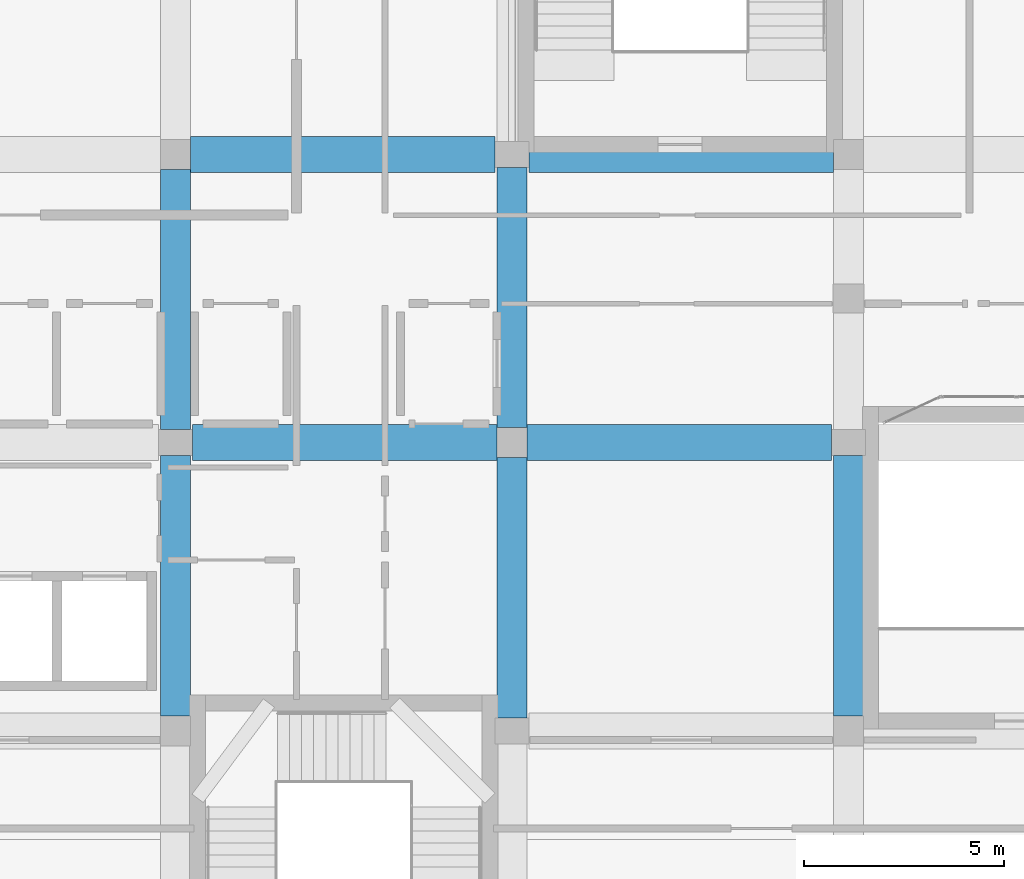
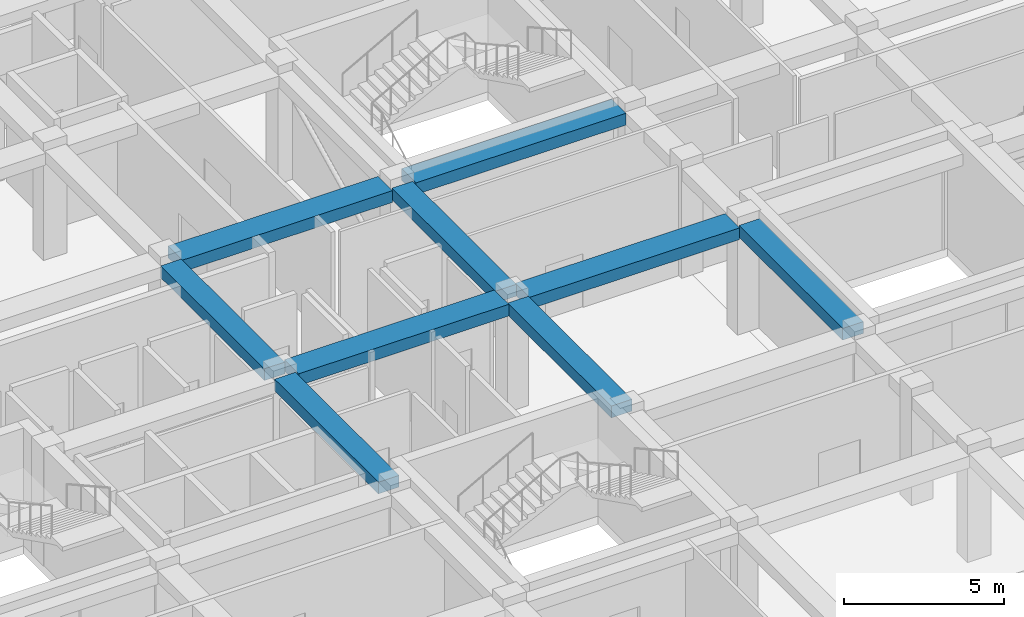
# One storey, part 11 of 121: 9 beams.
"""IFC4 building model written with IfcOpenShell, lengths in metres."""

from ifc_helpers import new_model, si_unit, derived_unit, direction, frame, origin, origin_2d, place, context, subcontext, project, spatial, rectangle, extrude, material, material_profile, profile_set, type_object, element, save


model = new_model("IFC4")

# Units and contexts
model_context = context("Model", 3, precision=1e-05, world=origin(), true_north=direction((0.0, 1.0)))
body_context = subcontext(model_context, "Body", "Model", "MODEL_VIEW")
ifc_project = project(units=[si_unit("LENGTHUNIT", "METRE"), si_unit("AREAUNIT", "SQUARE_METRE"), si_unit("VOLUMEUNIT", "CUBIC_METRE"), si_unit("PLANEANGLEUNIT", "RADIAN"), si_unit("MASSUNIT", "GRAM", prefix="KILO"), derived_unit("THERMALTRANSMITTANCEUNIT", [(si_unit("POWERUNIT", "WATT"), 1), (si_unit("LENGTHUNIT", "METRE"), -2), (si_unit("THERMODYNAMICTEMPERATUREUNIT", "KELVIN"), -1)])], contexts=[model_context])

# Site, building, storey
site_placement = place(None, origin())
site = spatial("IfcSite", under=ifc_project, at=site_placement, CompositionType="ELEMENT")
building_placement = place(site_placement, origin())
building = spatial("IfcBuilding", under=site, at=building_placement, Name="Veybourne Emporium", CompositionType="ELEMENT")
storey_placement = place(building_placement, frame((0.0, 0.0, 5.39990234375)))
storey = spatial("IfcBuildingStorey", under=building, at=storey_placement, Name="L01", CompositionType="ELEMENT", Elevation=5.39990234375)

# Beams
ifc_material = material(Name="Concrete C32/40", Category="concrete")
ifc_material_profile_1 = material_profile(ifc_material, rectangle(XDim=0.89990234375, YDim=0.449951171875, at=origin_2d()), Name="RC 900x450")
ifc_profile_set_1 = profile_set([ifc_material_profile_1], Name="Concrete C32/40")
beam_type_1 = type_object("IfcBeamType", Name="RCBeam_BB-03", PredefinedType="BEAM", material=ifc_profile_set_1)
beam_1_placement = place(storey_placement, frame((34.02490234375, 21.60009765625, 3.955078125), z_axis=(1.0, 0.0, 0.0), x_axis=(0.0, 1.0, 0.0)))
element("IfcBeam", 1, at=beam_1_placement, inside=storey, type_object=beam_type_1, Name="L01 X-grid beam BB-03 (4,3)", PredefinedType="BEAM", context=body_context, shape_type="SweptSolid", body=[
    extrude(rectangle(XDim=0.89990234375, YDim=0.449951171875, at=origin_2d()), origin(), (0.0, 0.0, 1.0), 7.60009765625),
])
beam_2_placement = place(storey_placement, frame((33.97509765625, 28.800048828125, 3.955078125), z_axis=(1.0, 0.0, 0.0), x_axis=(0.0, 1.0, 0.0)))
element("IfcBeam", 2, at=beam_2_placement, inside=storey, type_object=beam_type_1, Name="L01 X-grid beam BB-03 (4,4)", PredefinedType="BEAM", context=body_context, shape_type="SweptSolid", body=[
    extrude(rectangle(XDim=0.89990234375, YDim=0.449951171875, at=origin_2d()), origin(), (0.0, 0.0, 1.0), 7.599853515625),
])
beam_3_placement = place(storey_placement, frame((42.375, 21.60009765625, 3.955078125), z_axis=(1.0, 0.0, 0.0), x_axis=(0.0, 1.0, 0.0)))
element("IfcBeam", 3, at=beam_3_placement, inside=storey, type_object=beam_type_1, Name="L01 X-grid beam BB-03 (5,3)", PredefinedType="BEAM", context=body_context, shape_type="SweptSolid", body=[
    extrude(rectangle(XDim=0.89990234375, YDim=0.449951171875, at=origin_2d()), origin(), (0.0, 0.0, 1.0), 7.60009765625),
])
beam_4_placement = place(storey_placement, frame((42.425048828125, 28.800048828125, 3.955078125), z_axis=(1.0, 0.0, 0.0), x_axis=(0.0, 1.0, 0.0)))
element("IfcBeam", 4, at=beam_4_placement, inside=storey, type_object=beam_type_1, Name="L01 X-grid beam BB-03 (5,4)", PredefinedType="BEAM", context=body_context, shape_type="SweptSolid", body=[
    extrude(rectangle(XDim=0.89990234375, YDim=0.449951171875, at=origin_2d()), origin(), (0.0, 0.0, 1.0), 7.599853515625),
])
ifc_material_profile_2 = material_profile(ifc_material, rectangle(XDim=0.75, YDim=0.449951171875, at=origin_2d()), Name="RC 750x450")
ifc_profile_set_2 = profile_set([ifc_material_profile_2], Name="Concrete C32/40")
beam_type_2 = type_object("IfcBeamType", Name="RCBeam_BB-04", PredefinedType="BEAM", material=ifc_profile_set_2)
for number, where, z_axis, x_axis, name in (
    (5, (33.60009765625, 14.77490234375, 3.955078125), (0.0, 1.0, 0.0), (-1.0, 0.0, 0.0), "L01 Y-grid beam BB-04 (4,2)"),
    (6, (33.60009765625, 21.925048828125, 3.955078125), (0.0, 1.0, 0.0), (-1.0, 0.0, 0.0), "L01 Y-grid beam BB-04 (4,3)"),
    (7, (42.0, 14.72509765625, 3.955078125), (0.0, 1.0, 0.0), (-1.0, 0.0, 0.0), "L01 Y-grid beam BB-04 (5,2)"),
    (8, (42.0, 21.97509765625, 3.955078125), (0.0, 1.0, 0.0), (-1.0, 0.0, 0.0), "L01 Y-grid beam BB-04 (5,3)"),
    (9, (50.39990234375, 14.77490234375, 3.955078125), (0.0, 1.0, 0.0), (-1.0, 0.0, 0.0), "L01 Y-grid beam BB-04 (6,2)"),
):
    element("IfcBeam", number, at=place(storey_placement, frame(where, z_axis=z_axis, x_axis=x_axis)), inside=storey, type_object=beam_type_2, Name=name, PredefinedType="BEAM", context=body_context, shape_type="SweptSolid", body=[
        extrude(rectangle(XDim=0.75, YDim=0.449951171875, at=origin_2d()), origin(), (0.0, 0.0, 1.0), 6.5),
    ])

save(model, "model.ifc")
